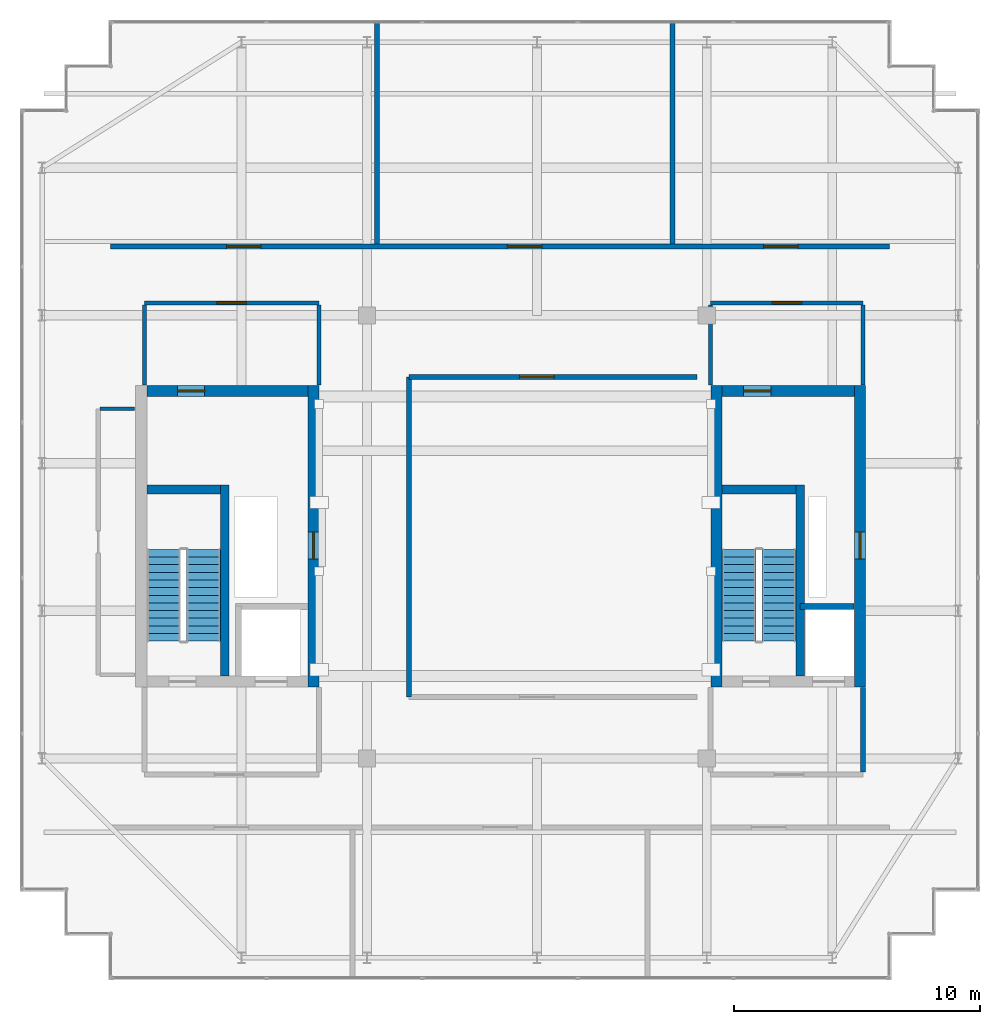
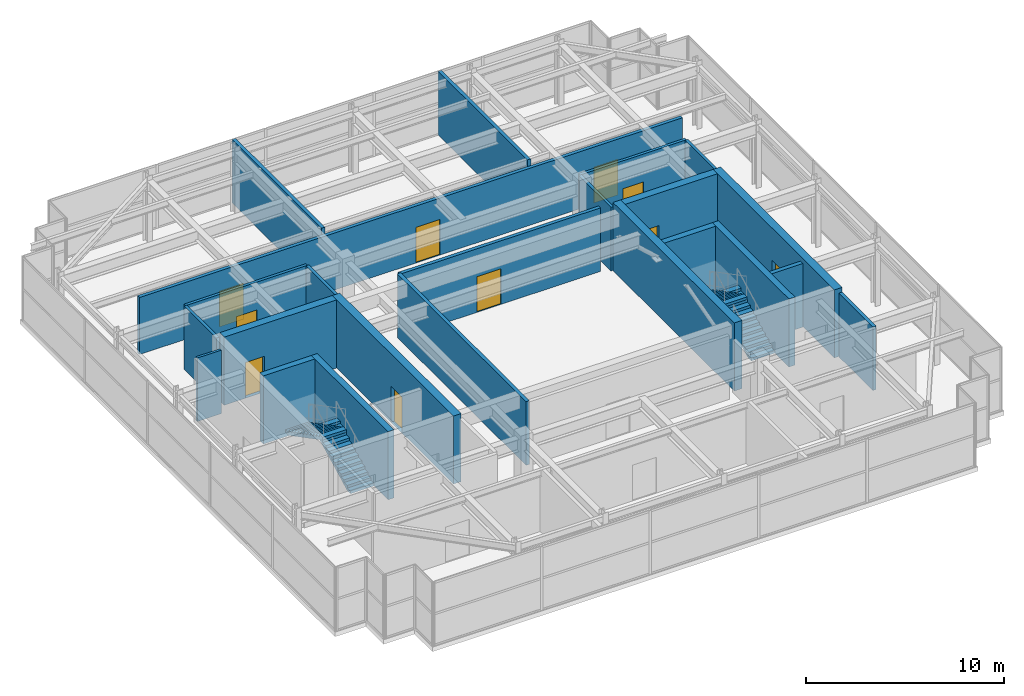
# One storey, part 31 of 32: 23 walls, 10 doors, 4 stair flights, 10 openings, 2 elements without a shape of their own.
"""IFC4 building model written with IfcOpenShell, lengths in metres."""

from ifc_helpers import new_model, si_unit, direction, frame, frame_2d, origin, place, context, subcontext, project, spatial, polyline, rectangle, outline, extrude, source, transform, mapped, material, layer, layer_set, type_object, element, fill, aggregate, save


model = new_model("IFC4")

# Units and contexts
model_context = context("Model", 3, precision=1e-05, world=origin(), true_north=direction((0.0, 1.0)))
body_context = subcontext(model_context, "Body", "Model", "MODEL_VIEW")
ifc_project = project(units=[si_unit("LENGTHUNIT", "METRE"), si_unit("AREAUNIT", "SQUARE_METRE"), si_unit("VOLUMEUNIT", "CUBIC_METRE"), si_unit("PLANEANGLEUNIT", "RADIAN"), si_unit("MASSUNIT", "GRAM", prefix="KILO")], contexts=[model_context])

# Site, building, storey
site_placement = place(None, origin())
site = spatial("IfcSite", under=ifc_project, at=site_placement, CompositionType="ELEMENT")
building_placement = place(site_placement, origin())
building = spatial("IfcBuilding", under=site, at=building_placement, Name="Khoralis Quay Care Tower", CompositionType="ELEMENT")
storey_placement = place(building_placement, frame((0.0, 0.0, 306.300048828125)))
storey = spatial("IfcBuildingStorey", under=building, at=storey_placement, Name="L80", CompositionType="ELEMENT", Elevation=306.300048828125)

# Wall
ifc_material_1 = material(Name="Gypsum plasterboard on acoustic metal stud")
ifc_layer_1 = layer(ifc_material_1, 0.199951171875)
ifc_layer_set_1 = layer_set([ifc_layer_1], Name="Gypsum plasterboard on acoustic metal stud")
wall_type_1 = type_object("IfcWallType", Name="WL-COMP-200", PredefinedType="PARTITIONING", material=ifc_layer_set_1)
wall_1_placement = place(storey_placement, frame((37.25, 11.445068359375, 0.0), z_axis=(0.0, 0.0, 1.0), x_axis=(0.0, 1.0, 0.0)))
element("IfcWall", 1, at=wall_1_placement, inside=storey, type_object=wall_type_1, Name="L80 East Firefighting Lobby East Wall", PredefinedType="PARTITIONING", context=body_context, shape_type="SweptSolid", body=[
    extrude(rectangle(XDim=3.434814453125, YDim=0.199951171875, at=frame_2d((1.71728515625, 0.0))), origin(), (0.0, 0.0, 1.0), 3.919921875),
])

# Wall, openings, doors
wall_2_placement = place(storey_placement, frame((6.679931640625, 32.800048828125, 0.0), z_axis=(0.0, 0.0, 1.0), x_axis=(1.0, 0.0, 0.0)))
wall_2 = element("IfcWall", 2, at=wall_2_placement, inside=storey, type_object=wall_type_1, Name="L80 Plant Corridor North Wall", PredefinedType="PARTITIONING", context=body_context, shape_type="SweptSolid", body=[
    extrude(rectangle(XDim=31.64013671875, YDim=0.199951171875, at=frame_2d((15.820068359375, 0.0))), origin(), (0.0, 0.0, 1.0), 3.512939453125),
])
opening_1_placement = place(wall_2_placement, frame((4.7099609375, 0.0, 0.0)))
opening_1 = element("IfcOpeningElement", 3, at=opening_1_placement, cuts=wall_2, Name="Opening PD1", PredefinedType="OPENING", context=body_context, shape_type="SweptSolid", body=[
    extrude(rectangle(XDim=1.39990234375, YDim=2.199951171875, at=frame_2d((0.699951171875, 1.10009765625))), frame((0.0, 0.10986328125, 0.0), z_axis=(0.0, -1.0, 0.0), x_axis=(1.0, 0.0, 0.0)), (0.0, 0.0, 1.0), 0.219970703125),
])
opening_2_placement = place(wall_2_placement, frame((16.1201171875, 0.0, 0.0)))
opening_2 = element("IfcOpeningElement", 4, at=opening_2_placement, cuts=wall_2, Name="Opening PD1", PredefinedType="OPENING", context=body_context, shape_type="SweptSolid", body=[
    extrude(rectangle(XDim=1.39990234375, YDim=2.199951171875, at=frame_2d((0.699951171875, 1.10009765625))), frame((0.0, 0.10986328125, 0.0), z_axis=(0.0, -1.0, 0.0), x_axis=(1.0, 0.0, 0.0)), (0.0, 0.0, 1.0), 0.219970703125),
])
opening_3_placement = place(wall_2_placement, frame((26.530029296875, 0.0, 0.0)))
opening_3 = element("IfcOpeningElement", 5, at=opening_3_placement, cuts=wall_2, Name="Opening PD1", PredefinedType="OPENING", context=body_context, shape_type="SweptSolid", body=[
    extrude(rectangle(XDim=1.39990234375, YDim=2.199951171875, at=frame_2d((0.699951171875, 1.10009765625))), frame((0.0, 0.10986328125, 0.0), z_axis=(0.0, -1.0, 0.0), x_axis=(1.0, 0.0, 0.0)), (0.0, 0.0, 1.0), 0.219970703125),
])
ifc_material_2 = material(Name="Fire-rated painted steel", Category="steel")
door_type_1 = type_object("IfcDoorType", Name="DR-PLANT-1400X2200", OperationType="NOTDEFINED", PredefinedType="DOOR", material=ifc_material_2)
shared_shape_1 = source(origin(), body_context, "Body", "SweptSolid", [
    extrude(rectangle(XDim=1.39990234375, YDim=2.199951171875, at=frame_2d((0.699951171875, 1.10009765625))), frame((0.0, 0.02490234375, 0.0), z_axis=(0.0, -1.0, 0.0), x_axis=(1.0, 0.0, 0.0)), (0.0, 0.0, 1.0), 0.050048828125),
])
door_1_placement = place(opening_1_placement, origin())
door_1 = element("IfcDoor", 6, at=door_1_placement, inside=storey, type_object=door_type_1, Name="L80 Lantern Lighting Maintenance Gallery Plant Door", OperationType="DOUBLE_DOOR_SINGLE_SWING", OverallHeight=2.199951171875, OverallWidth=1.39990234375, PredefinedType="DOOR", context=body_context, shape_type="MappedRepresentation", body=[
    mapped(shared_shape_1, transform((0.0, 0.0, 0.0), scale=1.0)),
])
fill(opening_1, door_1)
door_2_placement = place(opening_2_placement, origin())
door_2 = element("IfcDoor", 7, at=door_2_placement, inside=storey, type_object=door_type_1, Name="L80 Smoke Extract Fan Plant Plant Door", OperationType="DOUBLE_DOOR_SINGLE_SWING", OverallHeight=2.199951171875, OverallWidth=1.39990234375, PredefinedType="DOOR", context=body_context, shape_type="MappedRepresentation", body=[
    mapped(shared_shape_1, transform((0.0, 0.0, 0.0), scale=1.0)),
])
fill(opening_2, door_2)
door_3_placement = place(opening_3_placement, origin())
door_3 = element("IfcDoor", 8, at=door_3_placement, inside=storey, type_object=door_type_1, Name="L80 Tuned Liquid Damper Hall Plant Door", OperationType="DOUBLE_DOOR_SINGLE_SWING", OverallHeight=2.199951171875, OverallWidth=1.39990234375, PredefinedType="DOOR", context=body_context, shape_type="MappedRepresentation", body=[
    mapped(shared_shape_1, transform((0.0, 0.0, 0.0), scale=1.0)),
])
fill(opening_3, door_3)

# Wall, opening, door
wall_3_placement = place(storey_placement, frame((18.800048828125, 27.5, 0.0), z_axis=(0.0, 0.0, 1.0), x_axis=(1.0, 0.0, 0.0)))
wall_3 = element("IfcWall", 9, at=wall_3_placement, inside=storey, type_object=wall_type_1, Name="L80 Central Plant North Wall", PredefinedType="PARTITIONING", context=body_context, shape_type="SweptSolid", body=[
    extrude(rectangle(XDim=11.699951171875, YDim=0.199951171875, at=frame_2d((5.85009765625, 0.0))), origin(), (0.0, 0.0, 1.0), 3.919921875),
])
opening_4_placement = place(wall_3_placement, frame((4.5, 0.0, 0.0)))
opening_4 = element("IfcOpeningElement", 10, at=opening_4_placement, cuts=wall_3, Name="Opening PD1", PredefinedType="OPENING", context=body_context, shape_type="SweptSolid", body=[
    extrude(rectangle(XDim=1.39990234375, YDim=2.199951171875, at=frame_2d((0.699951171875, 1.10009765625))), frame((0.0, 0.10986328125, 0.0), z_axis=(0.0, -1.0, 0.0), x_axis=(1.0, 0.0, 0.0)), (0.0, 0.0, 1.0), 0.219970703125),
])
door_4_placement = place(opening_4_placement, frame((1.39990234375, 0.0, 0.0), z_axis=(0.0, 0.0, 1.0), x_axis=(-1.0, 0.0, 0.0)))
door_4 = element("IfcDoor", 11, at=door_4_placement, inside=storey, type_object=door_type_1, Name="L80 Central Plant North Door", OperationType="DOUBLE_DOOR_SINGLE_SWING", OverallHeight=2.199951171875, OverallWidth=1.39990234375, PredefinedType="DOOR", context=body_context, shape_type="MappedRepresentation", body=[
    mapped(shared_shape_1, transform((0.0, 0.0, 0.0), scale=1.0)),
])
fill(opening_4, door_4)

# Walls
for number, where, z_axis, x_axis, name in (
    (12, (17.5, 32.89501953125, 0.0), (0.0, 0.0, 1.0), (0.0, 1.0, 0.0), "L80 North Plant Divider 1"),
    (13, (29.5, 32.89501953125, 0.0), (0.0, 0.0, 1.0), (0.0, 1.0, 0.0), "L80 North Plant Divider 2"),
):
    element("IfcWall", number, at=place(storey_placement, frame(where, z_axis=z_axis, x_axis=x_axis)), inside=storey, type_object=wall_type_1, Name=name, PredefinedType="PARTITIONING", context=body_context, shape_type="SweptSolid", body=[
        extrude(rectangle(XDim=9.02001953125, YDim=0.199951171875, at=frame_2d((4.510009765625, 0.0))), origin(), (0.0, 0.0, 1.0), 3.919921875),
    ])
wall_4_placement = place(storey_placement, frame((18.800048828125, 14.5, 0.0), z_axis=(0.0, 0.0, 1.0), x_axis=(0.0, 1.0, 0.0)))
element("IfcWall", 14, at=wall_4_placement, inside=storey, type_object=wall_type_1, Name="L80 Central Plant West Corridor Wall", PredefinedType="PARTITIONING", context=body_context, shape_type="SweptSolid", body=[
    extrude(rectangle(XDim=13.0, YDim=0.199951171875, at=frame_2d((6.5, 0.0))), origin(), (0.0, 0.0, 1.0), 3.919921875),
])

# Wall, opening, door
ifc_material_3 = material(Name="Concrete C50/60", Category="concrete")
ifc_layer_2 = layer(ifc_material_3, 0.449951171875)
ifc_layer_set_2 = layer_set([ifc_layer_2], Name="Concrete C50/60")
wall_type_2 = type_object("IfcWallType", Name="WL-CORE-450", PredefinedType="SHEAR", material=ifc_layer_set_2)
wall_5_placement = place(storey_placement, frame((14.925048828125, 14.89990234375, 0.0), z_axis=(0.0, 0.0, 1.0), x_axis=(0.0, 1.0, 0.0)))
wall_5 = element("IfcWall", 15, at=wall_5_placement, inside=storey, type_object=wall_type_2, Name="L80 WCORE East Shear Wall", PredefinedType="SHEAR", context=body_context, shape_type="SweptSolid", body=[
    extrude(rectangle(XDim=12.25, YDim=0.449951171875, at=frame_2d((6.125, 0.0))), origin(), (0.0, 0.0, 1.0), 4.199951171875),
])
opening_5_placement = place(wall_5_placement, frame((5.199951171875, 0.0, 0.0)))
opening_5 = element("IfcOpeningElement", 16, at=opening_5_placement, cuts=wall_5, Name="Opening SD1", PredefinedType="OPENING", context=body_context, shape_type="SweptSolid", body=[
    extrude(rectangle(XDim=1.10009765625, YDim=2.199951171875, at=frame_2d((0.550048828125, 1.10009765625))), frame((0.0, 0.23486328125, 0.0), z_axis=(0.0, -1.0, 0.0), x_axis=(1.0, 0.0, 0.0)), (0.0, 0.0, 1.0), 0.469970703125),
])
door_type_2 = type_object("IfcDoorType", Name="DR-STAIR-1100X2200", OperationType="NOTDEFINED", PredefinedType="DOOR", material=ifc_material_2)
shared_shape_2 = source(origin(), body_context, "Body", "SweptSolid", [
    extrude(rectangle(XDim=1.10009765625, YDim=2.199951171875, at=frame_2d((0.550048828125, 1.10009765625))), frame((0.0, 0.02490234375, 0.0), z_axis=(0.0, -1.0, 0.0), x_axis=(1.0, 0.0, 0.0)), (0.0, 0.0, 1.0), 0.050048828125),
])
door_5_placement = place(opening_5_placement, origin())
door_5 = element("IfcDoor", 17, at=door_5_placement, inside=storey, type_object=door_type_2, Name="L80 West MEP Riser Door", OperationType="SINGLE_SWING_RIGHT", OverallHeight=2.199951171875, OverallWidth=1.10009765625, PredefinedType="DOOR", context=body_context, shape_type="MappedRepresentation", body=[
    mapped(shared_shape_2, transform((0.0, 0.0, 0.0), scale=1.0)),
])
fill(opening_5, door_5)

wall_6_placement = place(storey_placement, frame((8.14990234375, 26.925048828125, 0.0), z_axis=(0.0, 0.0, 1.0), x_axis=(1.0, 0.0, 0.0)))
wall_6 = element("IfcWall", 18, at=wall_6_placement, inside=storey, type_object=wall_type_2, Name="L80 WCORE North Shear Wall", PredefinedType="SHEAR", context=body_context, shape_type="SweptSolid", body=[
    extrude(rectangle(XDim=6.550048828125, YDim=0.449951171875, at=frame_2d((3.27490234375, 0.0))), origin(), (0.0, 0.0, 1.0), 4.199951171875),
])
opening_6_placement = place(wall_6_placement, frame((1.25, 0.0, 0.0)))
opening_6 = element("IfcOpeningElement", 19, at=opening_6_placement, cuts=wall_6, Name="Opening SD1", PredefinedType="OPENING", context=body_context, shape_type="SweptSolid", body=[
    extrude(rectangle(XDim=1.10009765625, YDim=2.199951171875, at=frame_2d((0.550048828125, 1.10009765625))), frame((0.0, 0.23486328125, 0.0), z_axis=(0.0, -1.0, 0.0), x_axis=(1.0, 0.0, 0.0)), (0.0, 0.0, 1.0), 0.469970703125),
])
door_6_placement = place(opening_6_placement, frame((1.10009765625, 0.0, 0.0), z_axis=(0.0, 0.0, 1.0), x_axis=(-1.0, 0.0, 0.0)))
door_6 = element("IfcDoor", 20, at=door_6_placement, inside=storey, type_object=door_type_2, Name="L80 West Machine Room Door", OperationType="SINGLE_SWING_RIGHT", OverallHeight=2.199951171875, OverallWidth=1.10009765625, PredefinedType="DOOR", context=body_context, shape_type="MappedRepresentation", body=[
    mapped(shared_shape_2, transform((0.0, 0.0, 0.0), scale=1.0)),
])
fill(opening_6, door_6)

# Wall
wall_7_placement = place(storey_placement, frame((31.294921875, 14.89990234375, 0.0), z_axis=(0.0, 0.0, 1.0), x_axis=(0.0, 1.0, 0.0)))
element("IfcWall", 21, at=wall_7_placement, inside=storey, type_object=wall_type_2, Name="L80 ECORE West Shear Wall", PredefinedType="SHEAR", context=body_context, shape_type="SweptSolid", body=[
    extrude(rectangle(XDim=12.25, YDim=0.449951171875, at=frame_2d((6.125, 0.0))), origin(), (0.0, 0.0, 1.0), 4.199951171875),
])

# Wall, opening, door
wall_8_placement = place(storey_placement, frame((37.125, 14.89990234375, 0.0), z_axis=(0.0, 0.0, 1.0), x_axis=(0.0, 1.0, 0.0)))
wall_8 = element("IfcWall", 22, at=wall_8_placement, inside=storey, type_object=wall_type_2, Name="L80 ECORE East Shear Wall", PredefinedType="SHEAR", context=body_context, shape_type="SweptSolid", body=[
    extrude(rectangle(XDim=12.25, YDim=0.449951171875, at=frame_2d((6.125, 0.0))), origin(), (0.0, 0.0, 1.0), 4.199951171875),
])
opening_7_placement = place(wall_8_placement, frame((5.199951171875, 0.0, 0.0)))
opening_7 = element("IfcOpeningElement", 23, at=opening_7_placement, cuts=wall_8, Name="Opening SD1", PredefinedType="OPENING", context=body_context, shape_type="SweptSolid", body=[
    extrude(rectangle(XDim=1.10009765625, YDim=2.199951171875, at=frame_2d((0.550048828125, 1.10009765625))), frame((0.0, 0.23486328125, 0.0), z_axis=(0.0, -1.0, 0.0), x_axis=(1.0, 0.0, 0.0)), (0.0, 0.0, 1.0), 0.469970703125),
])
door_7_placement = place(opening_7_placement, frame((1.10009765625, 0.0, 0.0), z_axis=(0.0, 0.0, 1.0), x_axis=(-1.0, 0.0, 0.0)))
door_7 = element("IfcDoor", 24, at=door_7_placement, inside=storey, type_object=door_type_2, Name="L80 East MEP Riser Door", OperationType="SINGLE_SWING_LEFT", OverallHeight=2.199951171875, OverallWidth=1.10009765625, PredefinedType="DOOR", context=body_context, shape_type="MappedRepresentation", body=[
    mapped(shared_shape_2, transform((0.0, 0.0, 0.0), scale=1.0)),
])
fill(opening_7, door_7)

wall_9_placement = place(storey_placement, frame((31.52001953125, 26.925048828125, 0.0), z_axis=(0.0, 0.0, 1.0), x_axis=(1.0, 0.0, 0.0)))
wall_9 = element("IfcWall", 25, at=wall_9_placement, inside=storey, type_object=wall_type_2, Name="L80 ECORE North Shear Wall", PredefinedType="SHEAR", context=body_context, shape_type="SweptSolid", body=[
    extrude(rectangle(XDim=5.3798828125, YDim=0.449951171875, at=frame_2d((2.68994140625, 0.0))), origin(), (0.0, 0.0, 1.0), 4.199951171875),
])
opening_8_placement = place(wall_9_placement, frame((0.8798828125, 0.0, 0.0)))
opening_8 = element("IfcOpeningElement", 26, at=opening_8_placement, cuts=wall_9, Name="Opening SD1", PredefinedType="OPENING", context=body_context, shape_type="SweptSolid", body=[
    extrude(rectangle(XDim=1.10009765625, YDim=2.199951171875, at=frame_2d((0.550048828125, 1.10009765625))), frame((0.0, 0.23486328125, 0.0), z_axis=(0.0, -1.0, 0.0), x_axis=(1.0, 0.0, 0.0)), (0.0, 0.0, 1.0), 0.469970703125),
])
door_8_placement = place(opening_8_placement, frame((1.10009765625, 0.0, 0.0), z_axis=(0.0, 0.0, 1.0), x_axis=(-1.0, 0.0, 0.0)))
door_8 = element("IfcDoor", 27, at=door_8_placement, inside=storey, type_object=door_type_2, Name="L80 East Machine Room Door", OperationType="SINGLE_SWING_LEFT", OverallHeight=2.199951171875, OverallWidth=1.10009765625, PredefinedType="DOOR", context=body_context, shape_type="MappedRepresentation", body=[
    mapped(shared_shape_2, transform((0.0, 0.0, 0.0), scale=1.0)),
])
fill(opening_8, door_8)

ifc_layer_3 = layer(ifc_material_1, 0.1650390625)
ifc_layer_set_3 = layer_set([ifc_layer_3], Name="Gypsum plasterboard on acoustic metal stud")
wall_type_3 = type_object("IfcWallType", Name="WL-CORR-165", PredefinedType="PARTITIONING", material=ifc_layer_set_3)
wall_10_placement = place(storey_placement, frame((8.050048828125, 30.5, 0.0), z_axis=(0.0, 0.0, 1.0), x_axis=(1.0, 0.0, 0.0)))
wall_10 = element("IfcWall", 28, at=wall_10_placement, inside=storey, type_object=wall_type_3, Name="L80 West Lift Lobby North Wall", PredefinedType="PARTITIONING", context=body_context, shape_type="SweptSolid", body=[
    extrude(rectangle(XDim=7.099853515625, YDim=0.1650390625, at=frame_2d((3.5498046875, 0.0))), origin(), (0.0, 0.0, 1.0), 3.919921875),
])
opening_9_placement = place(wall_10_placement, frame((2.949951171875, 0.0, 0.0)))
opening_9 = element("IfcOpeningElement", 29, at=opening_9_placement, cuts=wall_10, Name="Opening FD1", PredefinedType="OPENING", context=body_context, shape_type="SweptSolid", body=[
    extrude(rectangle(XDim=1.199951171875, YDim=2.199951171875, at=frame_2d((0.60009765625, 1.10009765625))), frame((0.0, 0.092529296875, 0.0), z_axis=(0.0, -1.0, 0.0), x_axis=(1.0, 0.0, 0.0)), (0.0, 0.0, 1.0), 0.18505859375),
])
door_type_3 = type_object("IfcDoorType", Name="DR-FFL-1200X2200", OperationType="NOTDEFINED", PredefinedType="DOOR", material=ifc_material_2)
shared_shape_3 = source(origin(), body_context, "Body", "SweptSolid", [
    extrude(rectangle(XDim=1.199951171875, YDim=2.199951171875, at=frame_2d((0.60009765625, 1.10009765625))), frame((0.0, 0.02490234375, 0.0), z_axis=(0.0, -1.0, 0.0), x_axis=(1.0, 0.0, 0.0)), (0.0, 0.0, 1.0), 0.050048828125),
])
door_9_placement = place(opening_9_placement, origin())
door_9 = element("IfcDoor", 30, at=door_9_placement, inside=storey, type_object=door_type_3, Name="L80 West Lift Lobby Double Door", OperationType="DOUBLE_DOOR_SINGLE_SWING", OverallHeight=2.199951171875, OverallWidth=1.199951171875, PredefinedType="DOOR", context=body_context, shape_type="MappedRepresentation", body=[
    mapped(shared_shape_3, transform((0.0, 0.0, 0.0), scale=1.0)),
])
fill(opening_9, door_9)

# Walls
for number, where, z_axis, x_axis, name in (
    (31, (8.050048828125, 27.169921875, 0.0), (0.0, 0.0, 1.0), (0.0, 1.0, 0.0), "L80 West Lift Lobby West Wall"),
    (32, (15.14990234375, 27.169921875, 0.0), (0.0, 0.0, 1.0), (0.0, 1.0, 0.0), "L80 West Lift Lobby East Wall"),
):
    element("IfcWall", number, at=place(storey_placement, frame(where, z_axis=z_axis, x_axis=x_axis)), inside=storey, type_object=wall_type_3, Name=name, PredefinedType="PARTITIONING", context=body_context, shape_type="SweptSolid", body=[
        extrude(rectangle(XDim=3.252685546875, YDim=0.1650390625, at=frame_2d((1.62646484375, 0.0))), origin(), (0.0, 0.0, 1.0), 3.919921875),
    ])

# Wall, opening, door
wall_11_placement = place(storey_placement, frame((31.050048828125, 30.5, 0.0), z_axis=(0.0, 0.0, 1.0), x_axis=(1.0, 0.0, 0.0)))
wall_11 = element("IfcWall", 33, at=wall_11_placement, inside=storey, type_object=wall_type_3, Name="L80 East Lift Lobby North Wall", PredefinedType="PARTITIONING", context=body_context, shape_type="SweptSolid", body=[
    extrude(rectangle(XDim=6.199951171875, YDim=0.1650390625, at=frame_2d((3.10009765625, 0.0))), origin(), (0.0, 0.0, 1.0), 3.919921875),
])
opening_10_placement = place(wall_11_placement, frame((2.5, 0.0, 0.0)))
opening_10 = element("IfcOpeningElement", 34, at=opening_10_placement, cuts=wall_11, Name="Opening FD1", PredefinedType="OPENING", context=body_context, shape_type="SweptSolid", body=[
    extrude(rectangle(XDim=1.199951171875, YDim=2.199951171875, at=frame_2d((0.60009765625, 1.10009765625))), frame((0.0, 0.092529296875, 0.0), z_axis=(0.0, -1.0, 0.0), x_axis=(1.0, 0.0, 0.0)), (0.0, 0.0, 1.0), 0.18505859375),
])
door_10_placement = place(opening_10_placement, origin())
door_10 = element("IfcDoor", 35, at=door_10_placement, inside=storey, type_object=door_type_3, Name="L80 East Lift Lobby Double Door", OperationType="DOUBLE_DOOR_SINGLE_SWING", OverallHeight=2.199951171875, OverallWidth=1.199951171875, PredefinedType="DOOR", context=body_context, shape_type="MappedRepresentation", body=[
    mapped(shared_shape_3, transform((0.0, 0.0, 0.0), scale=1.0)),
])
fill(opening_10, door_10)

# Walls
for number, where, z_axis, x_axis, name in (
    (36, (31.050048828125, 27.169921875, 0.0), (0.0, 0.0, 1.0), (0.0, 1.0, 0.0), "L80 East Lift Lobby West Wall"),
    (37, (37.25, 27.169921875, 0.0), (0.0, 0.0, 1.0), (0.0, 1.0, 0.0), "L80 East Lift Lobby East Wall"),
):
    element("IfcWall", number, at=place(storey_placement, frame(where, z_axis=z_axis, x_axis=x_axis)), inside=storey, type_object=wall_type_3, Name=name, PredefinedType="PARTITIONING", context=body_context, shape_type="SweptSolid", body=[
        extrude(rectangle(XDim=3.252685546875, YDim=0.1650390625, at=frame_2d((1.62646484375, 0.0))), origin(), (0.0, 0.0, 1.0), 3.919921875),
    ])
ifc_material_4 = material(Name="Concrete C40/50", Category="concrete")
ifc_layer_4 = layer(ifc_material_4, 0.35009765625)
ifc_layer_set_4 = layer_set([ifc_layer_4], Name="Concrete C40/50")
wall_type_4 = type_object("IfcWallType", Name="WL-SC-CORE-350", PredefinedType="SHEAR", material=ifc_layer_set_4)
wall_12_placement = place(storey_placement, frame((11.324951171875, 15.35009765625, 0.0), z_axis=(0.0, 0.0, 1.0), x_axis=(0.0, 1.0, 0.0)))
element("IfcWall", 38, at=wall_12_placement, inside=storey, type_object=wall_type_4, Name="L80 Stair ST-T1 Shear Baffle Wall East", PredefinedType="SHEAR", context=body_context, shape_type="SweptSolid", body=[
    extrude(rectangle(XDim=7.75, YDim=0.35009765625, at=frame_2d((3.875, 0.0))), origin(), (0.0, 0.0, 1.0), 4.199951171875),
])
wall_13_placement = place(storey_placement, frame((8.14990234375, 22.925048828125, 0.0), z_axis=(0.0, 0.0, 1.0), x_axis=(1.0, 0.0, 0.0)))
element("IfcWall", 39, at=wall_13_placement, inside=storey, type_object=wall_type_4, Name="L80 Stair ST-T1 Shear Baffle Wall North", PredefinedType="SHEAR", context=body_context, shape_type="SweptSolid", body=[
    extrude(rectangle(XDim=3.0, YDim=0.35009765625, at=frame_2d((1.5, 0.0))), origin(), (0.0, 0.0, 1.0), 4.199951171875),
])
wall_14_placement = place(storey_placement, frame((34.695068359375, 15.35009765625, 0.0), z_axis=(0.0, 0.0, 1.0), x_axis=(0.0, 1.0, 0.0)))
element("IfcWall", 40, at=wall_14_placement, inside=storey, type_object=wall_type_4, Name="L80 Stair ST-T2 Shear Baffle Wall East", PredefinedType="SHEAR", context=body_context, shape_type="SweptSolid", body=[
    extrude(rectangle(XDim=7.75, YDim=0.35009765625, at=frame_2d((3.875, 0.0))), origin(), (0.0, 0.0, 1.0), 4.199951171875),
])
wall_15_placement = place(storey_placement, frame((31.52001953125, 22.925048828125, 0.0), z_axis=(0.0, 0.0, 1.0), x_axis=(1.0, 0.0, 0.0)))
element("IfcWall", 41, at=wall_15_placement, inside=storey, type_object=wall_type_4, Name="L80 Stair ST-T2 Shear Baffle Wall North", PredefinedType="SHEAR", context=body_context, shape_type="SweptSolid", body=[
    extrude(rectangle(XDim=3.0, YDim=0.35009765625, at=frame_2d((1.5, 0.0))), origin(), (0.0, 0.0, 1.0), 4.199951171875),
])
ifc_layer_5 = layer(ifc_material_1, 0.239990234375)
ifc_layer_set_5 = layer_set([ifc_layer_5], Name="Gypsum plasterboard on acoustic metal stud")
wall_type_5 = type_object("IfcWallType", Name="WL-SHAFT-240", PredefinedType="PARTITIONING", material=ifc_layer_set_5)
wall_16_placement = place(storey_placement, frame((34.679931640625, 18.169921875, 0.0), z_axis=(0.0, 0.0, 1.0), x_axis=(1.0, 0.0, 0.0)))
element("IfcWall", 42, at=wall_16_placement, inside=storey, type_object=wall_type_5, Name="L80 FFL-2 Shaft Wall North", PredefinedType="PARTITIONING", context=body_context, shape_type="SweptSolid", body=[
    extrude(rectangle(XDim=2.199951171875, YDim=0.239990234375, at=frame_2d((1.10009765625, 0.0))), origin(), (0.0, 0.0, 1.0), 3.919921875),
])
ifc_layer_6 = layer(ifc_material_1, 0.139892578125)
ifc_layer_set_6 = layer_set([ifc_layer_6], Name="Gypsum plasterboard on acoustic metal stud")
wall_type_6 = type_object("IfcWallType", Name="WL-UNIT-140", PredefinedType="PARTITIONING", material=ifc_layer_set_6)
wall_17_placement = place(storey_placement, frame((6.257568359375, 26.199951171875, 0.0), z_axis=(0.0, 0.0, 1.0), x_axis=(1.0, 0.0, 0.0)))
element("IfcWall", 43, at=wall_17_placement, inside=storey, type_object=wall_type_6, Name="L80 West Flank North Cap", PredefinedType="PARTITIONING", context=body_context, shape_type="SweptSolid", body=[
    extrude(rectangle(XDim=1.40234375, YDim=0.139892578125, at=frame_2d((0.701171875, 0.0))), origin(), (0.0, 0.0, 1.0), 3.919921875),
])

# Stair, stair flights
ifc_material_5 = material(Name="Precast concrete C45/55", Category="concrete")
stair_type = type_object("IfcStairType", Name="ST-TWR-DOGLEG-1400", PredefinedType="HALF_TURN_STAIR", material=ifc_material_5)
stair_1_placement = place(storey_placement, origin())
stair_1 = element("IfcStair", 44, at=stair_1_placement, inside=storey, type_object=stair_type, Name="L80 West Core Exit Stair ST-T1", PredefinedType="HALF_TURN_STAIR")
stair_flight_type = type_object("IfcStairFlightType", Name="SF-TWR-1400", PredefinedType="STRAIGHT", material=ifc_material_5)
shared_shape_4 = source(origin(), body_context, "Body", "SweptSolid", [
    extrude(outline(polyline([(0.0, 0.0), (0.0, 0.16162109375), (0.31005859375, 0.16162109375), (0.31005859375, 0.322998046875), (0.6201171875, 0.322998046875), (0.6201171875, 0.484619140625), (0.929931640625, 0.484619140625), (0.929931640625, 0.646240234375), (1.239990234375, 0.646240234375), (1.239990234375, 0.8076171875), (1.550048828125, 0.8076171875), (1.550048828125, 0.96923828125), (1.860107421875, 0.96923828125), (1.860107421875, 1.130859375), (2.169921875, 1.130859375), (2.169921875, 1.292236328125), (2.47998046875, 1.292236328125), (2.47998046875, 1.453857421875), (2.7900390625, 1.453857421875), (2.7900390625, 1.615478515625), (3.10009765625, 1.615478515625), (3.10009765625, 1.77685546875), (3.409912109375, 1.77685546875), (3.409912109375, 1.9384765625), (3.719970703125, 1.9384765625), (3.719970703125, 2.10009765625), (3.719970703125, 1.76953125), (0.324462890625, 0.0), (0.0, 0.0)])), frame((0.0, 0.68994140625, 0.0), z_axis=(0.0, -1.0, 0.0), x_axis=(1.0, 0.0, 0.0)), (0.0, 0.0, 1.0), 1.3798828125),
])
stair_flight_1_placement = place(storey_placement, frame((10.4599609375, 16.77001953125, 0.0), z_axis=(0.0, 0.0, 1.0), x_axis=(0.0, 1.0, 0.0)))
stair_flight_1 = element("IfcStairFlight", 45, at=stair_flight_1_placement, type_object=stair_flight_type, Name="ST-T1 flight 1", NumberOfRisers=13, NumberOfTreads=12, PredefinedType="STRAIGHT", RiserHeight=0.161538462, TreadLength=0.31, context=body_context, shape_type="MappedRepresentation", body=[
    mapped(shared_shape_4, transform((0.0, 0.0, 0.0), scale=1.0)),
])
stair_flight_2_placement = place(storey_placement, frame((8.840087890625, 20.489990234375, 2.099853515625), z_axis=(0.0, 0.0, 1.0), x_axis=(0.0, -1.0, 0.0)))
stair_flight_2 = element("IfcStairFlight", 46, at=stair_flight_2_placement, type_object=stair_flight_type, Name="ST-T1 flight 2", NumberOfRisers=13, NumberOfTreads=12, PredefinedType="STRAIGHT", RiserHeight=0.161538462, TreadLength=0.31, context=body_context, shape_type="MappedRepresentation", body=[
    mapped(shared_shape_4, transform((0.0, 0.0, 0.0), scale=1.0)),
])
aggregate(stair_1, [stair_flight_1, stair_flight_2])

stair_2_placement = place(storey_placement, origin())
stair_2 = element("IfcStair", 47, at=stair_2_placement, inside=storey, type_object=stair_type, Name="L80 East Core Exit Stair ST-T2", PredefinedType="HALF_TURN_STAIR")
stair_flight_3_placement = place(storey_placement, frame((33.830078125, 16.77001953125, 0.0), z_axis=(0.0, 0.0, 1.0), x_axis=(0.0, 1.0, 0.0)))
stair_flight_3 = element("IfcStairFlight", 48, at=stair_flight_3_placement, type_object=stair_flight_type, Name="ST-T2 flight 1", NumberOfRisers=13, NumberOfTreads=12, PredefinedType="STRAIGHT", RiserHeight=0.161538462, TreadLength=0.31, context=body_context, shape_type="MappedRepresentation", body=[
    mapped(shared_shape_4, transform((0.0, 0.0, 0.0), scale=1.0)),
])
stair_flight_4_placement = place(storey_placement, frame((32.2099609375, 20.489990234375, 2.099853515625), z_axis=(0.0, 0.0, 1.0), x_axis=(0.0, -1.0, 0.0)))
stair_flight_4 = element("IfcStairFlight", 49, at=stair_flight_4_placement, type_object=stair_flight_type, Name="ST-T2 flight 2", NumberOfRisers=13, NumberOfTreads=12, PredefinedType="STRAIGHT", RiserHeight=0.161538462, TreadLength=0.31, context=body_context, shape_type="MappedRepresentation", body=[
    mapped(shared_shape_4, transform((0.0, 0.0, 0.0), scale=1.0)),
])
aggregate(stair_2, [stair_flight_3, stair_flight_4])

save(model, "model.ifc")
